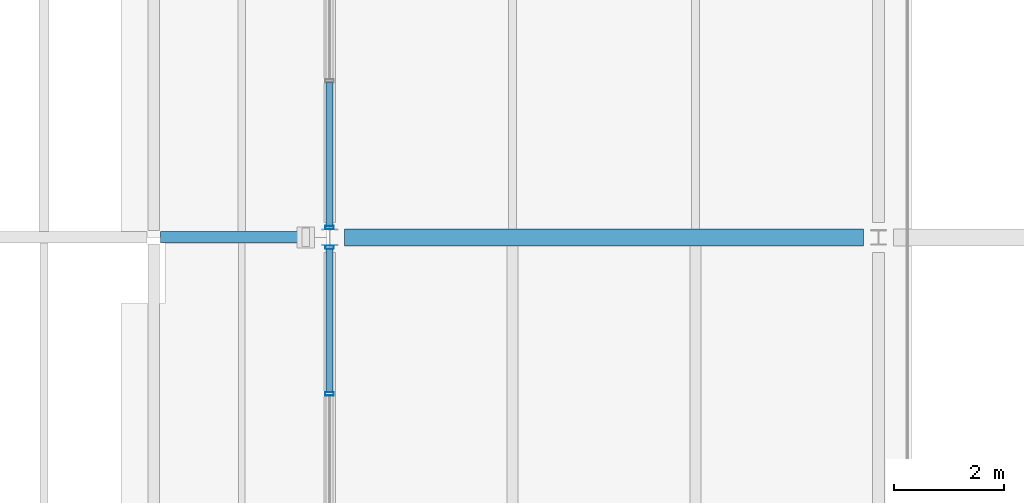
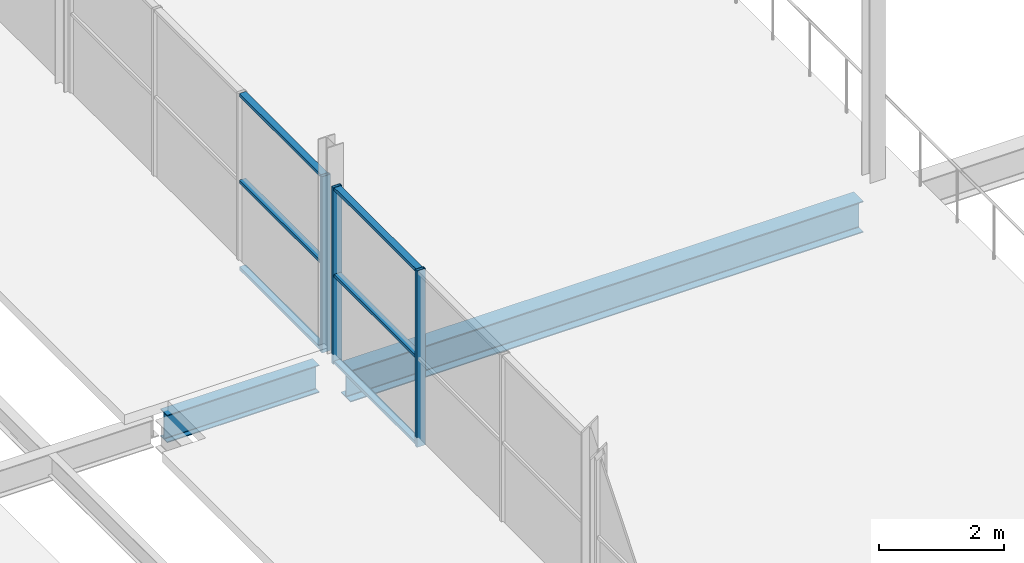
# One storey, part 101 of 161: 9 members, 2 beams, 2 elements without a shape of their own.
"""IFC4 building model written with IfcOpenShell, lengths in metres."""

from ifc_helpers import new_model, si_unit, direction, frame, origin, origin_2d, place, context, subcontext, project, spatial, hollow_rectangle, i_section, extrude, material, material_profile, profile_set, type_object, element, aggregate, save


model = new_model("IFC4")

# Units and contexts
model_context = context("Model", 3, precision=1e-05, world=origin(), true_north=direction((0.0, 1.0)))
body_context = subcontext(model_context, "Body", "Model", "MODEL_VIEW")
ifc_project = project(units=[si_unit("LENGTHUNIT", "METRE"), si_unit("AREAUNIT", "SQUARE_METRE"), si_unit("VOLUMEUNIT", "CUBIC_METRE"), si_unit("PLANEANGLEUNIT", "RADIAN"), si_unit("MASSUNIT", "GRAM", prefix="KILO"), si_unit("THERMODYNAMICTEMPERATUREUNIT", "KELVIN")], contexts=[model_context])

# Site, building, storey
site_placement = place(None, origin())
site = spatial("IfcSite", under=ifc_project, at=site_placement, CompositionType="ELEMENT")
building_placement = place(site_placement, origin())
building = spatial("IfcBuilding", under=site, at=building_placement, Name="Nduvali Passage Aquatics Centre", CompositionType="ELEMENT")
storey_placement = place(building_placement, frame((0.0, 0.0, 4.800048828125)))
storey = spatial("IfcBuildingStorey", under=building, at=storey_placement, Name="L01", CompositionType="ELEMENT", Elevation=4.800048828125)

# Curtain wall, members
ifc_material_1 = material(Name="Aluminium EN AW-6063 T6", Category="aluminium")
curtain_wall_type = type_object("IfcCurtainWallType", Name="ENV-CW-FOYR", PredefinedType="NOTDEFINED", material=ifc_material_1)
curtain_wall_1_placement = place(storey_placement, origin())
curtain_wall_1 = element("IfcCurtainWall", 1, at=curtain_wall_1_placement, inside=storey, type_object=curtain_wall_type, Name="L01 Passage Foyer Upper CW 073", PredefinedType="NOTDEFINED")
ifc_material_profile_1 = material_profile(ifc_material_1, hollow_rectangle(XDim=0.06005859375, YDim=0.159912109375, WallThickness=0.00390625, at=origin_2d()), Name="ALU MULLION 60x160x4")
ifc_profile_set_1 = profile_set([ifc_material_profile_1], Name="Aluminium EN AW-6063 T6")
member_type_1 = type_object("IfcMemberType", Name="ENV-MEM-MUL60", PredefinedType="MULLION", material=ifc_profile_set_1)
member_1_placement = place(storey_placement, frame((138.0, 55.949951171875, 0.0), z_axis=(0.0, 0.0, 1.0), x_axis=(0.0, 1.0, 0.0)))
member_1 = element("IfcMember", 2, at=member_1_placement, type_object=member_type_1, Name="Passage Foyer Upper CW Mullion 3", PredefinedType="MULLION", context=body_context, shape_type="SweptSolid", body=[
    extrude(hollow_rectangle(XDim=0.06005859375, YDim=0.159912109375, WallThickness=0.00390625, at=origin_2d()), origin(), (0.0, 0.0, 1.0), 3.436279296875),
])
member_2_placement = place(storey_placement, frame((138.0, 58.6201171875, 0.0), z_axis=(0.0, 0.0, 1.0), x_axis=(0.0, 1.0, 0.0)))
member_2 = element("IfcMember", 3, at=member_2_placement, type_object=member_type_1, Name="Passage Foyer Upper CW Mullion 4", PredefinedType="MULLION", context=body_context, shape_type="SweptSolid", body=[
    extrude(hollow_rectangle(XDim=0.06005859375, YDim=0.159912109375, WallThickness=0.00390625, at=origin_2d()), origin(), (0.0, 0.0, 1.0), 3.436279296875),
])

# Curtain wall, member
curtain_wall_2_placement = place(storey_placement, origin())
curtain_wall_2 = element("IfcCurtainWall", 4, at=curtain_wall_2_placement, inside=storey, type_object=curtain_wall_type, Name="L01 Passage Foyer Upper CW 074", PredefinedType="NOTDEFINED")
member_3_placement = place(storey_placement, frame((138.0, 58.97998046875, 0.0), z_axis=(0.0, 0.0, 1.0), x_axis=(0.0, 1.0, 0.0)))
member_3 = element("IfcMember", 5, at=member_3_placement, type_object=member_type_1, Name="Passage Foyer Upper CW Mullion 1", PredefinedType="MULLION", context=body_context, shape_type="SweptSolid", body=[
    extrude(hollow_rectangle(XDim=0.06005859375, YDim=0.159912109375, WallThickness=0.00390625, at=origin_2d()), origin(), (0.0, 0.0, 1.0), 3.436279296875),
])

# Member
ifc_material_profile_2 = material_profile(ifc_material_1, hollow_rectangle(XDim=0.1201171875, YDim=0.06005859375, WallThickness=0.00390625, at=origin_2d()), Name="ALU TRANSOM 120x60x4")
ifc_profile_set_2 = profile_set([ifc_material_profile_2], Name="Aluminium EN AW-6063 T6")
member_type_2 = type_object("IfcMemberType", Name="ENV-MEM-TRN60", PredefinedType="USERDEFINED", material=ifc_profile_set_2)
member_4_placement = place(storey_placement, frame((138.0, 55.97998046875, 0.030029296875), z_axis=(0.0, 1.0, 0.0), x_axis=(-1.0, 0.0, 0.0)))
member_4 = element("IfcMember", 6, at=member_4_placement, type_object=member_type_2, Name="Passage Foyer Upper CW Transom B3-R0", ObjectType="TRANSOM", PredefinedType="USERDEFINED", context=body_context, shape_type="SweptSolid", body=[
    extrude(hollow_rectangle(XDim=0.1201171875, YDim=0.06005859375, WallThickness=0.00390625, at=origin_2d()), origin(), (0.0, 0.0, 1.0), 2.610107421875),
])

member_5_placement = place(storey_placement, frame((138.0, 55.97998046875, 1.71826171875), z_axis=(0.0, 1.0, 0.0), x_axis=(-1.0, 0.0, 0.0)))
member_5 = element("IfcMember", 7, at=member_5_placement, type_object=member_type_2, Name="Passage Foyer Upper CW Transom B3-R1", ObjectType="TRANSOM", PredefinedType="USERDEFINED", context=body_context, shape_type="SweptSolid", body=[
    extrude(hollow_rectangle(XDim=0.1201171875, YDim=0.06005859375, WallThickness=0.00390625, at=origin_2d()), origin(), (0.0, 0.0, 1.0), 2.610107421875),
])

member_6_placement = place(storey_placement, frame((138.0, 55.97998046875, 3.40625), z_axis=(0.0, 1.0, 0.0), x_axis=(-1.0, 0.0, 0.0)))
member_6 = element("IfcMember", 8, at=member_6_placement, type_object=member_type_2, Name="Passage Foyer Upper CW Transom B3-R2", ObjectType="TRANSOM", PredefinedType="USERDEFINED", context=body_context, shape_type="SweptSolid", body=[
    extrude(hollow_rectangle(XDim=0.1201171875, YDim=0.06005859375, WallThickness=0.00390625, at=origin_2d()), origin(), (0.0, 0.0, 1.0), 2.610107421875),
])

aggregate(curtain_wall_1, [member_1, member_2, member_4, member_5, member_6])

member_7_placement = place(storey_placement, frame((138.0, 59.010009765625, 0.030029296875), z_axis=(0.0, 1.0, 0.0), x_axis=(-1.0, 0.0, 0.0)))
member_7 = element("IfcMember", 9, at=member_7_placement, type_object=member_type_2, Name="Passage Foyer Upper CW Transom B1-R0", ObjectType="TRANSOM", PredefinedType="USERDEFINED", context=body_context, shape_type="SweptSolid", body=[
    extrude(hollow_rectangle(XDim=0.1201171875, YDim=0.06005859375, WallThickness=0.00390625, at=origin_2d()), origin(), (0.0, 0.0, 1.0), 2.610107421875),
])

member_8_placement = place(storey_placement, frame((138.0, 59.010009765625, 1.71826171875), z_axis=(0.0, 1.0, 0.0), x_axis=(-1.0, 0.0, 0.0)))
member_8 = element("IfcMember", 10, at=member_8_placement, type_object=member_type_2, Name="Passage Foyer Upper CW Transom B1-R1", ObjectType="TRANSOM", PredefinedType="USERDEFINED", context=body_context, shape_type="SweptSolid", body=[
    extrude(hollow_rectangle(XDim=0.1201171875, YDim=0.06005859375, WallThickness=0.00390625, at=origin_2d()), origin(), (0.0, 0.0, 1.0), 2.610107421875),
])

member_9_placement = place(storey_placement, frame((138.0, 59.010009765625, 3.40625), z_axis=(0.0, 1.0, 0.0), x_axis=(-1.0, 0.0, 0.0)))
member_9 = element("IfcMember", 11, at=member_9_placement, type_object=member_type_2, Name="Passage Foyer Upper CW Transom B1-R2", ObjectType="TRANSOM", PredefinedType="USERDEFINED", context=body_context, shape_type="SweptSolid", body=[
    extrude(hollow_rectangle(XDim=0.1201171875, YDim=0.06005859375, WallThickness=0.00390625, at=origin_2d()), origin(), (0.0, 0.0, 1.0), 2.610107421875),
])

aggregate(curtain_wall_2, [member_3, member_7, member_8, member_9])

# Beams
ifc_material_2 = material(Name="Steel S355", Category="steel")
ifc_material_profile_3 = material_profile(ifc_material_2, i_section(OverallWidth=0.210693359375, OverallDepth=0.53955078125, WebThickness=0.01171875, FlangeThickness=0.018798828125, FilletRadius=0.0126953125, at=origin_2d()), Name="UKB 533x210x109")
ifc_profile_set_3 = profile_set([ifc_material_profile_3], Name="Steel S355")
beam_type_1 = type_object("IfcBeamType", Name="STR-BM-UKB533", PredefinedType="BEAM", material=ifc_profile_set_3)
beam_1_placement = place(storey_placement, frame((134.922119140625, 58.800048828125, -0.273681640625), z_axis=(1.0, 0.0, 0.0), x_axis=(0.0, 1.0, 0.0)))
element("IfcBeam", 12, at=beam_1_placement, inside=storey, type_object=beam_type_1, Name="L01 Primary X-Girder B6-0489", PredefinedType="BEAM", context=body_context, shape_type="SweptSolid", body=[
    extrude(i_section(OverallWidth=0.210693359375, OverallDepth=0.53955078125, WebThickness=0.01171875, FlangeThickness=0.018798828125, FilletRadius=0.0126953125, at=origin_2d()), origin(), (0.0, 0.0, 1.0), 2.802978515625),
])
ifc_material_profile_4 = material_profile(ifc_material_2, i_section(OverallWidth=0.3046875, OverallDepth=0.6123046875, WebThickness=0.01171875, FlangeThickness=0.019775390625, FilletRadius=0.0166015625, at=origin_2d()), Name="UKB 610x305x149")
ifc_profile_set_4 = profile_set([ifc_material_profile_4], Name="Steel S355")
beam_type_2 = type_object("IfcBeamType", Name="STR-BM-UKB610W", PredefinedType="BEAM", material=ifc_profile_set_4)
beam_2_placement = place(storey_placement, frame((138.27490234375, 58.800048828125, -0.59033203125), z_axis=(1.0, 0.0, 0.0), x_axis=(0.0, 1.0, 0.0)))
element("IfcBeam", 13, at=beam_2_placement, inside=storey, type_object=beam_type_2, Name="L01 Primary X-Girder B5A-0490", PredefinedType="BEAM", context=body_context, shape_type="SweptSolid", body=[
    extrude(i_section(OverallWidth=0.3046875, OverallDepth=0.6123046875, WebThickness=0.01171875, FlangeThickness=0.019775390625, FilletRadius=0.0166015625, at=origin_2d()), origin(), (0.0, 0.0, 1.0), 9.4501953125),
])

save(model, "model.ifc")
